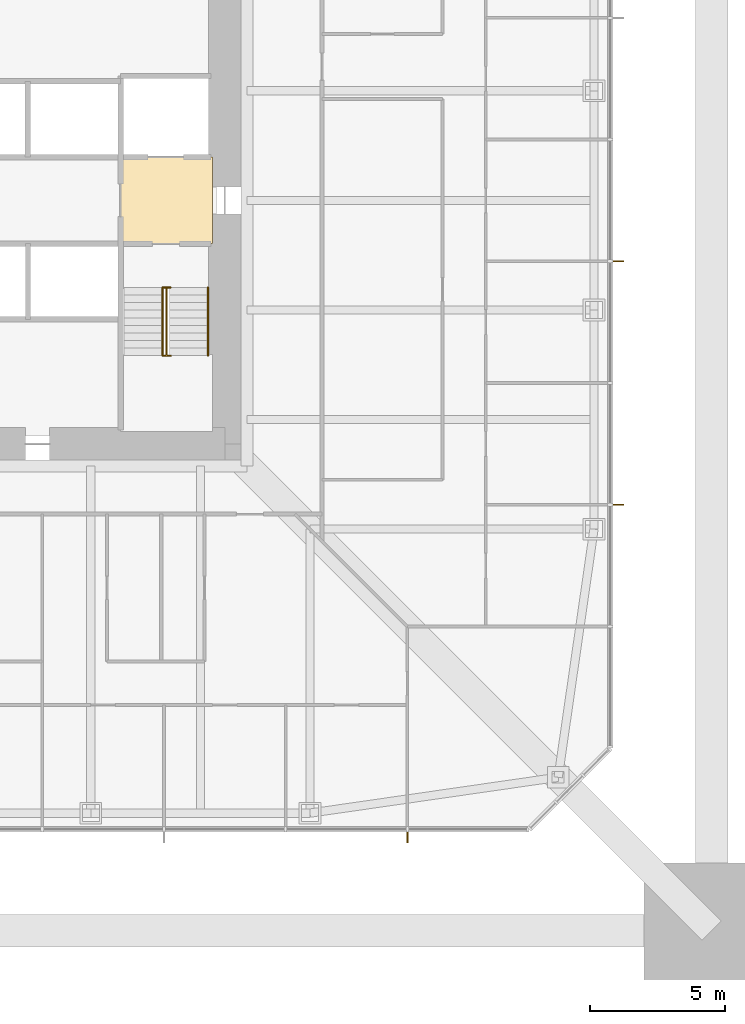
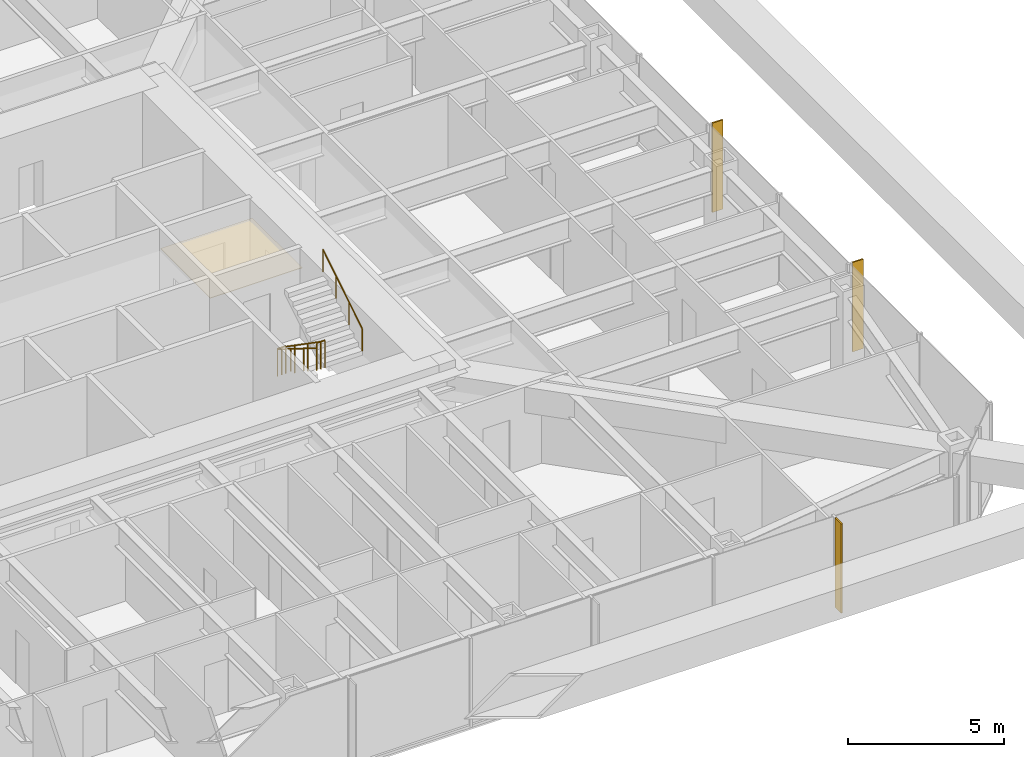
# One storey, part 30 of 32: 3 railings, 3 shading devices, 1 covering.
"""IFC4 building model written with IfcOpenShell, lengths in metres."""

from ifc_helpers import new_model, si_unit, direction, frame, origin, origin_2d, place, context, subcontext, project, spatial, polyline, rectangle, circle, outline, extrude, material, layer, layer_set, constituent, constituent_set, type_object, element, save


model = new_model("IFC4")

# Units and contexts
model_context = context("Model", 3, precision=1e-05, world=origin(), true_north=direction((0.0, 1.0)))
body_context = subcontext(model_context, "Body", "Model", "MODEL_VIEW")
ifc_project = project(units=[si_unit("LENGTHUNIT", "METRE"), si_unit("AREAUNIT", "SQUARE_METRE"), si_unit("VOLUMEUNIT", "CUBIC_METRE"), si_unit("PLANEANGLEUNIT", "RADIAN"), si_unit("MASSUNIT", "GRAM", prefix="KILO")], contexts=[model_context])

# Site, building, storey
site_placement = place(None, origin())
site = spatial("IfcSite", under=ifc_project, at=site_placement, CompositionType="ELEMENT")
building_placement = place(site_placement, origin())
building = spatial("IfcBuilding", under=site, at=building_placement, Name="Iwan Alto Co-Living Towers", CompositionType="ELEMENT")
storey_placement = place(building_placement, frame((0.0, 0.0, 71.0)))
storey = spatial("IfcBuildingStorey", under=building, at=storey_placement, Name="L19", CompositionType="ELEMENT", Elevation=71.0)

# Covering
ifc_material_1 = material(Name="Mineral fibre acoustic tiles on steel grid", Category="steel")
ifc_layer_1 = layer(ifc_material_1, 0.02001953125)
ifc_layer_set_1 = layer_set([ifc_layer_1], Name="ACOUSTIC TILE CEILING 20")
covering_type = type_object("IfcCoveringType", Name="ACOUSTIC TILE CEILING 20", PredefinedType="CEILING", material=ifc_layer_set_1)
covering_placement = place(storey_placement, frame((0.0, 0.0, 2.60009765625)))
element("IfcCovering", 1, at=covering_placement, inside=storey, type_object=covering_type, Name="Ceiling Firefighting lobby L19", PredefinedType="CEILING", context=body_context, shape_type="SweptSolid", body=[
    extrude(outline(polyline([(5.14990234375, -1.60009765625), (5.14990234375, 1.60009765625), (8.550048828125, 1.60009765625), (8.550048828125, -1.60009765625), (5.14990234375, -1.60009765625)])), origin(), (0.0, 0.0, 1.0), 0.02001953125),
])

# Shading devices
ifc_material_2 = material(Name="Aluminium 6063-T6 bronze anodised", Category="aluminium")
ifc_layer_2 = layer(ifc_material_2, 0.050048828125)
ifc_layer_set_2 = layer_set([ifc_layer_2], Name="BRONZE FIN 50X400")
shading_device_type = type_object("IfcShadingDeviceType", Name="BRONZE FIN 50X400", PredefinedType="USERDEFINED", material=ifc_layer_set_2)
for number, where, z_axis, x_axis, name in (
    (2, (15.75, -23.550048828125, 0.0), (0.0, 0.0, 1.0), (1.0, 0.0, 0.0), "Bronze fin L19"),
    (3, (23.550048828125, -11.25, 0.0), (0.0, 0.0, 1.0), (0.0, 1.0, 0.0), "Bronze fin L19"),
    (4, (23.550048828125, -2.25, 0.0), (0.0, 0.0, 1.0), (0.0, 1.0, 0.0), "Bronze fin L19"),
):
    element("IfcShadingDevice", number, at=place(storey_placement, frame(where, z_axis=z_axis, x_axis=x_axis)), inside=storey, type_object=shading_device_type, Name=name, ObjectType="LOUVER", PredefinedType="USERDEFINED", context=body_context, shape_type="SweptSolid", body=[
        extrude(rectangle(XDim=0.050048828125, YDim=0.39990234375, at=origin_2d()), origin(), (0.0, 0.0, 1.0), 3.5),
    ])

# Railings
ifc_material_3 = material(Name="Steel ASTM A500 Gr C", Category="steel")
ifc_constituent_1 = constituent(ifc_material_3, Name="Rails and posts", Category="Framing")
ifc_material_4 = material(Name="Steel ASTM A36", Category="steel")
ifc_constituent_2 = constituent(ifc_material_4, Name="Bar infill", Category="Infill")
ifc_constituent_set = constituent_set(constituents=[ifc_constituent_1, ifc_constituent_2], Name="STAIR GUARD 1100")
railing_type_1 = type_object("IfcRailingType", Name="STAIR GUARD 1100", PredefinedType="GUARDRAIL", material=ifc_constituent_set)
railing_1_placement = place(storey_placement, frame((6.85009765625, -3.219970703125, 0.0)))
element("IfcRailing", 5, at=railing_1_placement, inside=storey, type_object=railing_type_1, Name="Stair T1-S2 well guard L19", PredefinedType="GUARDRAIL", context=body_context, shape_type="SweptSolid", body=[
    extrude(circle(Radius=0.02392578125, at=origin_2d()), frame((0.0, 0.0, 1.076171875), z_axis=(0.0, -0.821372036852, 0.570392826987), x_axis=(1.0, 0.0, 0.0)), (0.0, 0.0, 1.0), 3.068115234375),
    extrude(circle(Radius=0.02392578125, at=origin_2d()), frame((-0.150146484375, 0.0, 1.076171875), z_axis=(1.0, 0.0, 0.0), x_axis=(0.0, 1.0, 0.0)), (0.0, 0.0, 1.0), 0.300048828125),
    extrude(circle(Radius=0.02392578125, at=origin_2d()), frame((-0.150146484375, -2.52001953125, 2.826171875), z_axis=(1.0, 0.0, 0.0), x_axis=(0.0, 1.0, 0.0)), (0.0, 0.0, 1.0), 0.300048828125),
    extrude(circle(Radius=0.02099609375, at=origin_2d()), origin(), (0.0, 0.0, 1.0), 1.052001953125),
    extrude(circle(Radius=0.02099609375, at=origin_2d()), frame((0.0, -0.840087890625, 0.583251953125)), (0.0, 0.0, 1.0), 1.052001953125),
    extrude(circle(Radius=0.02099609375, at=origin_2d()), frame((0.0, -1.679931640625, 1.166748046875)), (0.0, 0.0, 1.0), 1.052001953125),
    extrude(circle(Radius=0.02099609375, at=origin_2d()), frame((0.0, -2.52001953125, 1.75)), (0.0, 0.0, 1.0), 1.052001953125),
    extrude(circle(Radius=0.02099609375, at=origin_2d()), frame((-0.150146484375, 0.0, 0.0)), (0.0, 0.0, 1.0), 1.052001953125),
    extrude(circle(Radius=0.02099609375, at=origin_2d()), frame((0.14990234375, 0.0, 0.0)), (0.0, 0.0, 1.0), 1.052001953125),
    extrude(circle(Radius=0.02099609375, at=origin_2d()), frame((-0.150146484375, -2.52001953125, 1.75)), (0.0, 0.0, 1.0), 1.052001953125),
    extrude(circle(Radius=0.02099609375, at=origin_2d()), frame((0.14990234375, -2.52001953125, 1.75)), (0.0, 0.0, 1.0), 1.052001953125),
])
ifc_material_5 = material(Name="Steel ASTM A500 Gr C", Category="steel")
railing_type_2 = type_object("IfcRailingType", Name="STAIR HANDRAIL 900", PredefinedType="HANDRAIL", material=ifc_material_5)
railing_2_placement = place(storey_placement, frame((6.699951171875, -3.219970703125, 0.175048828125)))
element("IfcRailing", 6, at=railing_2_placement, inside=storey, type_object=railing_type_2, Name="Stair T1-S2 handrail 1 L19", PredefinedType="HANDRAIL", context=body_context, shape_type="SweptSolid", body=[
    extrude(circle(Radius=0.02392578125, at=origin_2d()), frame((0.0, 0.0, 0.8759765625), z_axis=(0.0, -0.848007534815, 0.529984170421), x_axis=(1.0, 0.0, 0.0)), (0.0, 0.0, 1.0), 2.9716796875),
    extrude(circle(Radius=0.02099609375, at=origin_2d()), origin(), (0.0, 0.0, 1.0), 0.851806640625),
    extrude(circle(Radius=0.02099609375, at=origin_2d()), frame((0.0, -0.840087890625, 0.52490234375)), (0.0, 0.0, 1.0), 0.851806640625),
    extrude(circle(Radius=0.02099609375, at=origin_2d()), frame((0.0, -1.679931640625, 1.050048828125)), (0.0, 0.0, 1.0), 0.851806640625),
    extrude(circle(Radius=0.02099609375, at=origin_2d()), frame((0.0, -2.52001953125, 1.574951171875)), (0.0, 0.0, 1.0), 0.851806640625),
])
railing_3_placement = place(storey_placement, frame((8.3798828125, -5.739990234375, 1.925048828125)))
element("IfcRailing", 7, at=railing_3_placement, inside=storey, type_object=railing_type_2, Name="Stair T1-S2 handrail 2 L19", PredefinedType="HANDRAIL", context=body_context, shape_type="SweptSolid", body=[
    extrude(circle(Radius=0.02392578125, at=origin_2d()), frame((0.0, 0.0, 0.8759765625), z_axis=(0.0, 0.848007534815, 0.529984170421), x_axis=(-1.0, 0.0, 0.0)), (0.0, 0.0, 1.0), 2.9716796875),
    extrude(circle(Radius=0.02099609375, at=origin_2d()), origin(), (0.0, 0.0, 1.0), 0.851806640625),
    extrude(circle(Radius=0.02099609375, at=origin_2d()), frame((0.0, 0.840087890625, 0.52490234375)), (0.0, 0.0, 1.0), 0.851806640625),
    extrude(circle(Radius=0.02099609375, at=origin_2d()), frame((0.0, 1.679931640625, 1.050048828125)), (0.0, 0.0, 1.0), 0.851806640625),
    extrude(circle(Radius=0.02099609375, at=origin_2d()), frame((0.0, 2.52001953125, 1.574951171875)), (0.0, 0.0, 1.0), 0.851806640625),
])

save(model, "model.ifc")
